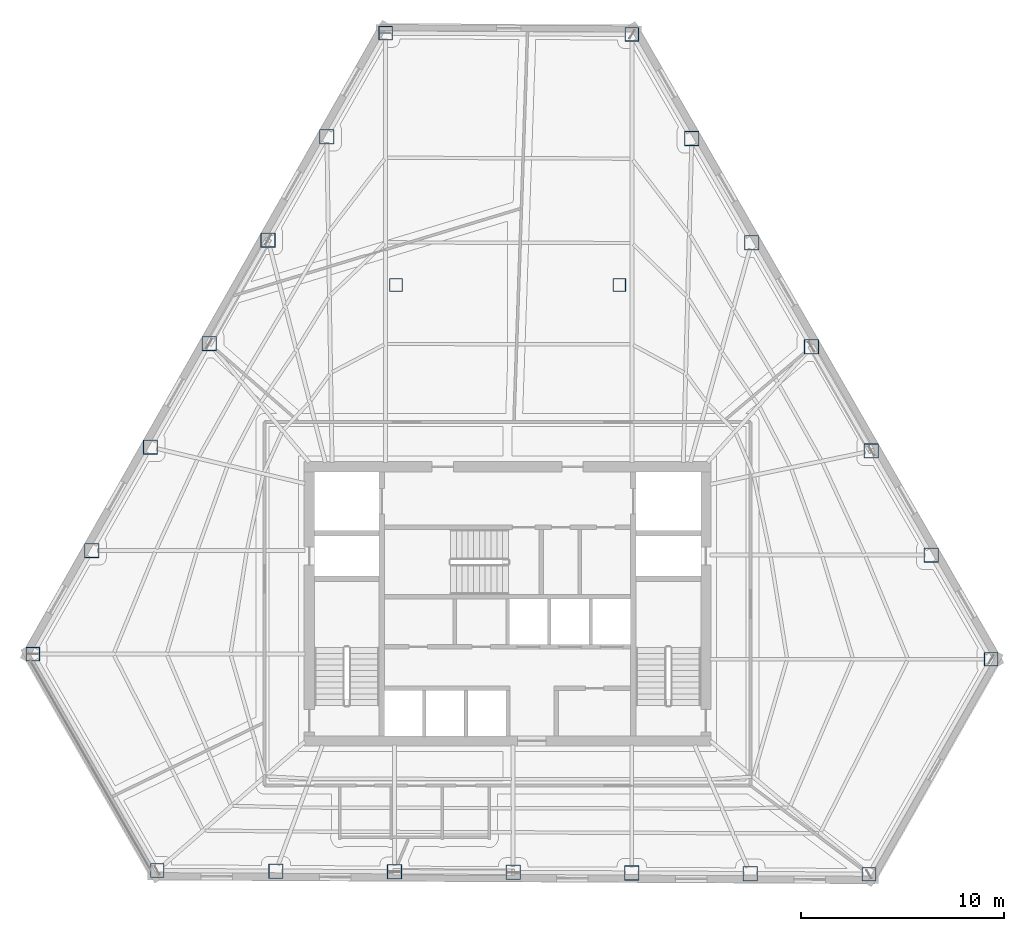
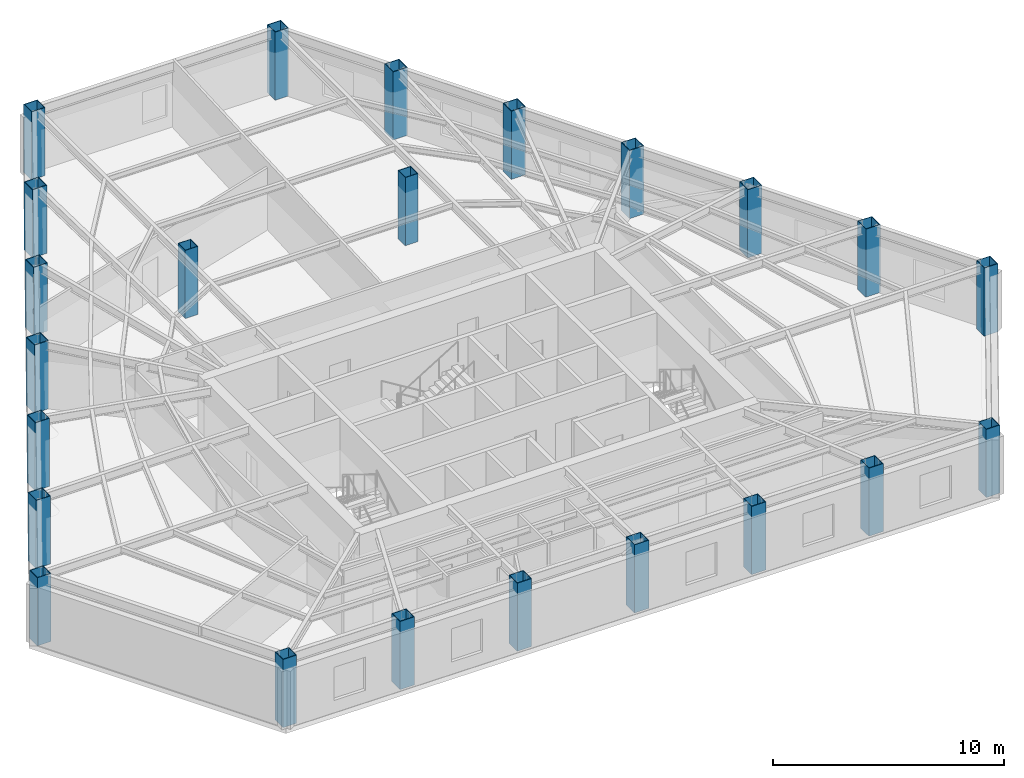
# One storey, part 1 of 13: 23 columns.
"""IFC4 building model written with IfcOpenShell, lengths in metres."""

import ifcopenshell
import ifcopenshell.guid

model = None  # the IFC model being written
_history = None  # IfcOwnerHistory: only IFC2X3 demands one
_inside = {}  # id of a spatial element -> (the spatial element, [elements in it])
_under = {}  # id of a project, library or spatial element -> (it, [spatial elements below it])
_declared = {}  # id of a project -> (the project, [libraries it declares])
_typed = {}  # id of a type object -> (the type object, [elements of that type])
_made_of = {}  # id of a material, layer set ... -> (it, [elements and type objects made of it])


def new_model(schema):
    """Start an empty IFC model of exactly this schema.

    Asked for "IFC4X3", IfcOpenShell would pick the latest addendum, in which some entities
    have other attributes; the version numbers below select the first issue.
    IFC2X3 requires an IfcOwnerHistory on every rooted entity: one is made here for all.
    """
    global model, _history
    if schema == "IFC4X3":
        model = ifcopenshell.file(schema_version=(4, 3, 0, 0))
    else:
        model = ifcopenshell.file(schema=schema)
    _inside.clear()
    _under.clear()
    _declared.clear()
    _typed.clear()
    _made_of.clear()
    _history = None
    if model.schema == "IFC2X3":
        org = make("IfcOrganization", Name="unknown")
        user = make(
            "IfcPersonAndOrganization",
            ThePerson=make("IfcPerson", FamilyName="unknown"),
            TheOrganization=org,
        )
        app = make(
            "IfcApplication",
            ApplicationDeveloper=org,
            Version="unknown",
            ApplicationFullName="unknown",
            ApplicationIdentifier="unknown",
        )
        _history = make(
            "IfcOwnerHistory",
            OwningUser=user,
            OwningApplication=app,
            ChangeAction="ADDED",
            CreationDate=0,
        )
    return model


def make(cls, **values):
    """One entity of the class cls with the attributes given. An attribute that is None is left unset."""
    return model.create_entity(
        cls, **{name: value for name, value in values.items() if value is not None}
    )


def rooted(cls, **values):
    """An entity with a GlobalId (a new one), such as an element, a storey or a relation."""
    return make(cls, GlobalId=ifcopenshell.guid.new(), OwnerHistory=_history, **values)


def si_unit(unit_type, name, prefix=None):
    """IfcSIUnit, for example si_unit("LENGTHUNIT", "METRE", prefix="MILLI")."""
    return make("IfcSIUnit", UnitType=unit_type, Prefix=prefix, Name=name)


def assignment(units):
    """IfcUnitAssignment: the units of a project."""
    return None if units is None else make("IfcUnitAssignment", Units=units)


def point(xyz):
    """IfcCartesianPoint."""
    return None if xyz is None else make("IfcCartesianPoint", Coordinates=xyz)


def direction(xyz):
    """IfcDirection."""
    return None if xyz is None else make("IfcDirection", DirectionRatios=xyz)


def frame(location, z_axis=None, x_axis=None):
    """IfcAxis2Placement3D, a coordinate frame: its origin and axes. An axis left out is left unset."""
    return make(
        "IfcAxis2Placement3D",
        Location=point(location),
        Axis=direction(z_axis),
        RefDirection=direction(x_axis),
    )


def frame_2d(location, x_axis=None):
    """IfcAxis2Placement2D, a coordinate frame in the plane: its origin and x axis."""
    return make(
        "IfcAxis2Placement2D", Location=point(location), RefDirection=direction(x_axis)
    )


def origin():
    """The frame at (0, 0, 0) with its axes left unset."""
    return frame((0.0, 0.0, 0.0))


def origin_2d():
    """The frame at (0, 0) in the plane with its x axis left unset."""
    return frame_2d((0.0, 0.0))


def place(relative_to, where):
    """IfcLocalPlacement: puts the frame where relative to a parent placement (None: the world)."""
    return make(
        "IfcLocalPlacement", PlacementRelTo=relative_to, RelativePlacement=where
    )


def context(
    kind, dimensions, precision=None, world=None, true_north=None, identifier=None
):
    """IfcGeometricRepresentationContext, for example the 3D "Model" context."""
    return make(
        "IfcGeometricRepresentationContext",
        ContextIdentifier=identifier,
        ContextType=kind,
        CoordinateSpaceDimension=dimensions,
        Precision=precision,
        WorldCoordinateSystem=world,
        TrueNorth=true_north,
    )


def subcontext(parent, identifier, kind, view, scale=None):
    """IfcGeometricRepresentationSubContext, for example "Body" below "Model"."""
    return make(
        "IfcGeometricRepresentationSubContext",
        ContextIdentifier=identifier,
        ContextType=kind,
        ParentContext=parent,
        TargetScale=scale,
        TargetView=view,
    )


def project(units=None, contexts=None):
    """IfcProject with its units and contexts."""
    return rooted(
        "IfcProject",
        Name="project",
        RepresentationContexts=contexts,
        UnitsInContext=assignment(units),
    )


def spatial(cls, under=None, at=None, **own):
    """A site, building, storey or space (cls), placed at a placement, below another one or the project."""
    s = rooted(cls, ObjectPlacement=at, **own)
    if under is not None:
        _under.setdefault(under.id(), (under, []))[1].append(s)
    return s


def profile(cls, at=None, kind="AREA", **sizes):
    """A parametric profile (cls). Its sizes go by their IFC names, for example OverallWidth=200.0."""
    return make(cls, ProfileType=kind, Position=at, **sizes)


def hollow_rectangle(**sizes):
    """IfcRectangleHollowProfileDef."""
    return profile("IfcRectangleHollowProfileDef", **sizes)


def extrude(swept, where, along, depth):
    """IfcExtrudedAreaSolid: the profile swept, set in the frame where, extruded along a direction by depth."""
    return make(
        "IfcExtrudedAreaSolid",
        SweptArea=swept,
        Position=where,
        ExtrudedDirection=direction(along),
        Depth=depth,
    )


def shape(context_of_items, identifier, shape_type, items):
    """IfcShapeRepresentation: the items that make up one representation, for example the "Body"."""
    return make(
        "IfcShapeRepresentation",
        ContextOfItems=context_of_items,
        RepresentationIdentifier=identifier,
        RepresentationType=shape_type,
        Items=items,
    )


def material(Name=None, Category=None):
    """IfcMaterial."""
    return make("IfcMaterial", Name=Name, Category=Category)


def material_profile(
    of_material, cross_section, Name=None, Category=None, Priority=None
):
    """IfcMaterialProfile: a cross section and its material."""
    return make(
        "IfcMaterialProfile",
        Name=Name,
        Material=of_material,
        Profile=cross_section,
        Priority=Priority,
        Category=Category,
    )


def profile_set(profiles, Name=None, composite=None):
    """IfcMaterialProfileSet."""
    return make(
        "IfcMaterialProfileSet",
        Name=Name,
        MaterialProfiles=profiles,
        CompositeProfile=composite,
    )


def made_of(thing, what):
    """Note that an element or type object is made of a material, layer set ...; save() writes the relation."""
    if what is not None:
        _made_of.setdefault(what.id(), (what, []))[1].append(thing)
    return thing


def type_object(cls, material=None, **own):
    """A type object (cls), such as IfcWallType, which elements share."""
    return made_of(rooted(cls, **own), material)


def element(
    cls,
    number,
    at=None,
    inside=None,
    cuts=None,
    type_object=None,
    material=None,
    context=None,
    identifier="Body",
    shape_type=None,
    held_by="IfcProductDefinitionShape",
    body=None,
    shapes=None,
    **own,
):
    """One element of the class cls, such as IfcWall. Its Tag is "e" and its number.

    at: its placement. inside: the storey or other place that contains it. cuts: it is an
    opening in that element (IfcRelVoidsElement). A single representation is given by context,
    identifier, shape_type and body (its items); several are given by shapes. held_by: the class
    of the entity that holds the representations. save() writes the other relations.
    """
    e = rooted(cls, Tag="e%d" % number, ObjectPlacement=at, **own)
    if body is not None:
        shapes = [shape(context, identifier, shape_type, body)]
    if shapes is not None:
        e.Representation = make(held_by, Representations=shapes)
    if inside is not None:
        _inside.setdefault(inside.id(), (inside, []))[1].append(e)
    if cuts is not None:
        rooted(
            "IfcRelVoidsElement", RelatingBuildingElement=cuts, RelatedOpeningElement=e
        )
    if type_object is not None:
        _typed.setdefault(type_object.id(), (type_object, []))[1].append(e)
    return made_of(e, material)


def aggregate(whole, parts):
    """IfcRelAggregates: a whole, such as a stair, and the parts it consists of."""
    return rooted("IfcRelAggregates", RelatingObject=whole, RelatedObjects=parts)


def save(model, path):
    """Write the relations noted so far, then the file.

    IfcRelAggregates (storeys below a building ...), IfcRelContainedInSpatialStructure (elements
    in a storey), IfcRelDefinesByType, IfcRelAssociatesMaterial and IfcRelDeclares: one each for
    every whole, place, type object, material and project.
    """
    for whole, parts in _under.values():
        aggregate(whole, parts)
    for where, things in _inside.values():
        rooted(
            "IfcRelContainedInSpatialStructure",
            RelatedElements=things,
            RelatingStructure=where,
        )
    for kind, things in _typed.values():
        rooted("IfcRelDefinesByType", RelatedObjects=things, RelatingType=kind)
    for what, things in _made_of.values():
        rooted("IfcRelAssociatesMaterial", RelatedObjects=things, RelatingMaterial=what)
    for by, libraries in _declared.values():
        rooted("IfcRelDeclares", RelatingContext=by, RelatedDefinitions=libraries)
    model.write(path)


model = new_model("IFC4")

# Units and contexts
model_context = context("Model", 3, precision=1e-05, world=origin(), true_north=direction((0.0, 1.0)))
body_context = subcontext(model_context, "Body", "Model", "MODEL_VIEW")
ifc_project = project(units=[si_unit("LENGTHUNIT", "METRE"), si_unit("AREAUNIT", "SQUARE_METRE"), si_unit("VOLUMEUNIT", "CUBIC_METRE"), si_unit("PLANEANGLEUNIT", "RADIAN"), si_unit("MASSUNIT", "GRAM", prefix="KILO")], contexts=[model_context])

# Site, building, storey
site_placement = place(None, origin())
site = spatial("IfcSite", under=ifc_project, at=site_placement, CompositionType="ELEMENT")
building_placement = place(site_placement, origin())
building = spatial("IfcBuilding", under=site, at=building_placement, Name="Kavelnor Concourse Tower", CompositionType="ELEMENT")
storey_placement = place(building_placement, frame((0.0, 0.0, 100.89990234375)))
storey = spatial("IfcBuildingStorey", under=building, at=storey_placement, Name="L25", CompositionType="ELEMENT", Elevation=100.89990234375)

# Columns
ifc_material = material(Name="Steel Grade 350", Category="steel")
ifc_material_profile_1 = material_profile(ifc_material, hollow_rectangle(XDim=0.679931640625, YDim=0.679931640625, WallThickness=0.030029296875, at=origin_2d()), Name="SHS 680x680x30")
ifc_profile_set_1 = profile_set([ifc_material_profile_1], Name="Steel Grade 350")
column_type_1 = type_object("IfcColumnType", Name="COL-FOLD-Z2", PredefinedType="COLUMN", material=ifc_profile_set_1)
for number, where, z_axis, x_axis, name in (
    (1, (31.99072265625, 44.204345703125, 0.0), (0.0, 0.0, 1.0), (1.0, 0.0, 0.0), "L25 Perimeter Corner-Fold Column F0-B0"),
    (2, (14.62353515625, 13.62646484375, 0.0), (0.0, 0.0, 1.0), (1.0, 0.0, 0.0), "L25 Perimeter Corner-Fold Column F0-B6"),
    (3, (20.751220703125, 2.966796875, 0.0), (0.0, 0.0, 1.0), (1.0, 0.0, 0.0), "L25 Perimeter Corner-Fold Column F1-B0"),
    (4, (55.797119140625, 2.784912109375, 0.0), (0.0, 0.0, 1.0), (1.0, 0.0, 0.0), "L25 Perimeter Corner-Fold Column F1-B6"),
    (5, (61.810791015625, 13.372802734375, 0.0), (0.0, 0.0, 1.0), (1.0, 0.0, 0.0), "L25 Perimeter Corner-Fold Column F2-B0"),
    (6, (44.123291015625, 44.1416015625, 0.0), (0.0, 0.0, 1.0), (1.0, 0.0, 0.0), "L25 Perimeter Corner-Fold Column F2-B6"),
):
    element("IfcColumn", number, at=place(storey_placement, frame(where, z_axis=z_axis, x_axis=x_axis)), inside=storey, type_object=column_type_1, Name=name, PredefinedType="COLUMN", context=body_context, shape_type="SweptSolid", body=[
        extrude(hollow_rectangle(XDim=0.679931640625, YDim=0.679931640625, WallThickness=0.030029296875, at=origin_2d()), origin(), (0.0, 0.0, 1.0), 3.60009765625),
    ])
ifc_material_profile_2 = material_profile(ifc_material, hollow_rectangle(XDim=0.719970703125, YDim=0.719970703125, WallThickness=0.031982421875, at=origin_2d()), Name="SHS 720x720x32")
ifc_profile_set_2 = profile_set([ifc_material_profile_2], Name="Steel Grade 350")
column_type_2 = type_object("IfcColumnType", Name="COL-TUBE-Z2", PredefinedType="COLUMN", material=ifc_profile_set_2)
for number, where, z_axis, x_axis, name in (
    (7, (29.09619140625, 39.108154296875, 0.0), (0.0, 0.0, 1.0), (1.0, 0.0, 0.0), "L25 Perimeter Framed-Tube Column F0-B1"),
    (8, (26.20166015625, 34.01171875, 0.0), (0.0, 0.0, 1.0), (1.0, 0.0, 0.0), "L25 Perimeter Framed-Tube Column F0-B2"),
    (9, (23.30712890625, 28.915283203125, 0.0), (0.0, 0.0, 1.0), (1.0, 0.0, 0.0), "L25 Perimeter Framed-Tube Column F0-B3"),
    (10, (20.41259765625, 23.819091796875, 0.0), (0.0, 0.0, 1.0), (1.0, 0.0, 0.0), "L25 Perimeter Framed-Tube Column F0-B4"),
    (11, (17.51806640625, 18.72265625, 0.0), (0.0, 0.0, 1.0), (1.0, 0.0, 0.0), "L25 Perimeter Framed-Tube Column F0-B5"),
    (12, (26.59228515625, 2.9365234375, 0.0), (0.0, 0.0, 1.0), (1.0, 0.0, 0.0), "L25 Perimeter Framed-Tube Column F1-B1"),
    (13, (32.43310546875, 2.90625, 0.0), (0.0, 0.0, 1.0), (1.0, 0.0, 0.0), "L25 Perimeter Framed-Tube Column F1-B2"),
    (14, (38.274169921875, 2.875732421875, 0.0), (0.0, 0.0, 1.0), (1.0, 0.0, 0.0), "L25 Perimeter Framed-Tube Column F1-B3"),
    (15, (44.115234375, 2.845458984375, 0.0), (0.0, 0.0, 1.0), (1.0, 0.0, 0.0), "L25 Perimeter Framed-Tube Column F1-B4"),
    (16, (49.956298828125, 2.815185546875, 0.0), (0.0, 0.0, 1.0), (1.0, 0.0, 0.0), "L25 Perimeter Framed-Tube Column F1-B5"),
    (17, (58.86279296875, 18.5009765625, 0.0), (0.0, 0.0, 1.0), (1.0, 0.0, 0.0), "L25 Perimeter Framed-Tube Column F2-B1"),
    (18, (55.9150390625, 23.62890625, 0.0), (0.0, 0.0, 1.0), (1.0, 0.0, 0.0), "L25 Perimeter Framed-Tube Column F2-B2"),
    (19, (52.967041015625, 28.757080078125, 0.0), (0.0, 0.0, 1.0), (1.0, 0.0, 0.0), "L25 Perimeter Framed-Tube Column F2-B3"),
    (20, (50.01904296875, 33.88525390625, 0.0), (0.0, 0.0, 1.0), (1.0, 0.0, 0.0), "L25 Perimeter Framed-Tube Column F2-B4"),
    (21, (47.0712890625, 39.013427734375, 0.0), (0.0, 0.0, 1.0), (1.0, 0.0, 0.0), "L25 Perimeter Framed-Tube Column F2-B5"),
):
    element("IfcColumn", number, at=place(storey_placement, frame(where, z_axis=z_axis, x_axis=x_axis)), inside=storey, type_object=column_type_2, Name=name, PredefinedType="COLUMN", context=body_context, shape_type="SweptSolid", body=[
        extrude(hollow_rectangle(XDim=0.719970703125, YDim=0.719970703125, WallThickness=0.031982421875, at=origin_2d()), origin(), (0.0, 0.0, 1.0), 3.60009765625),
    ])
ifc_material_profile_3 = material_profile(ifc_material, hollow_rectangle(XDim=0.639892578125, YDim=0.639892578125, WallThickness=0.028076171875, at=origin_2d()), Name="SHS 640x640x28")
ifc_profile_set_3 = profile_set([ifc_material_profile_3], Name="Steel Grade 350")
column_type_3 = type_object("IfcColumnType", Name="COL-TUBE-Z3", PredefinedType="COLUMN", material=ifc_profile_set_3)
for number, where, z_axis, x_axis, name in (
    (22, (32.5, 31.800048828125, 0.0), (0.0, 0.0, 1.0), (1.0, 0.0, 0.0), "L25 North Interior Gravity Column BC-NW"),
    (23, (43.5, 31.800048828125, 0.0), (0.0, 0.0, 1.0), (1.0, 0.0, 0.0), "L25 North Interior Gravity Column BC-NE"),
):
    element("IfcColumn", number, at=place(storey_placement, frame(where, z_axis=z_axis, x_axis=x_axis)), inside=storey, type_object=column_type_3, Name=name, PredefinedType="COLUMN", context=body_context, shape_type="SweptSolid", body=[
        extrude(hollow_rectangle(XDim=0.639892578125, YDim=0.639892578125, WallThickness=0.028076171875, at=origin_2d()), origin(), (0.0, 0.0, 1.0), 3.60009765625),
    ])

save(model, "model.ifc")
